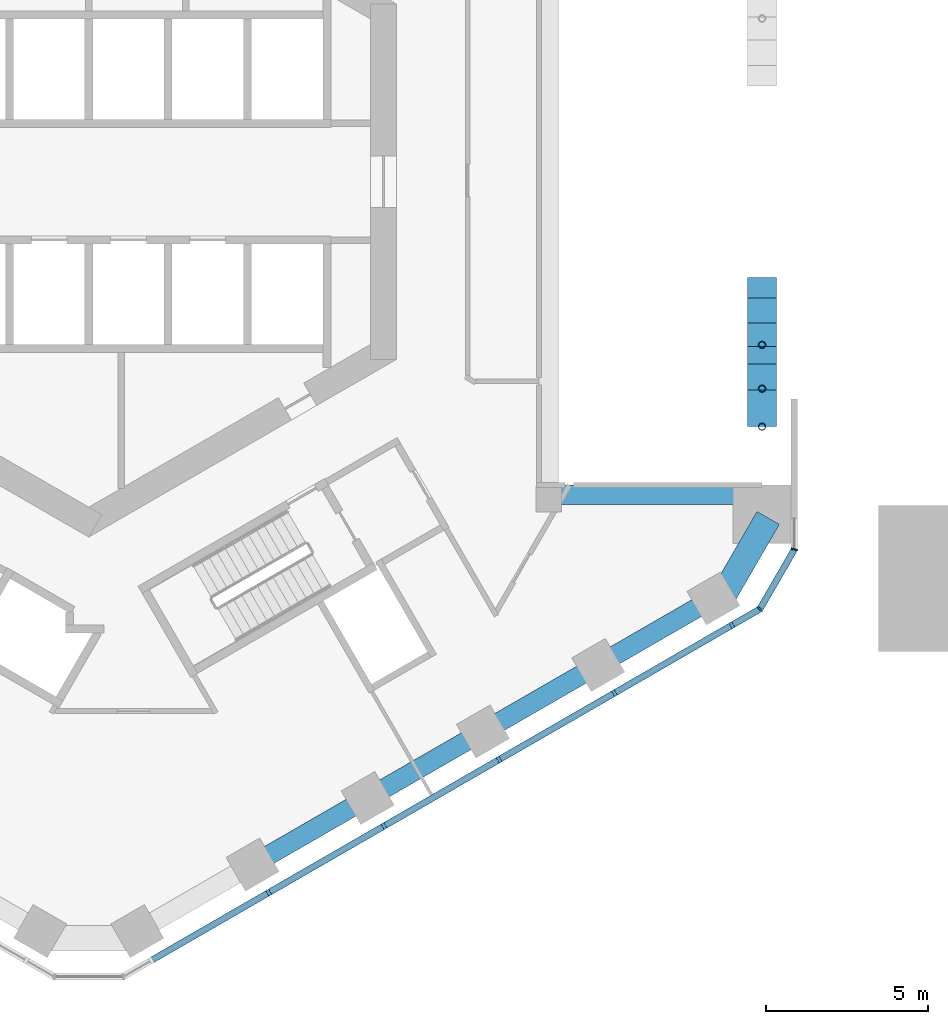
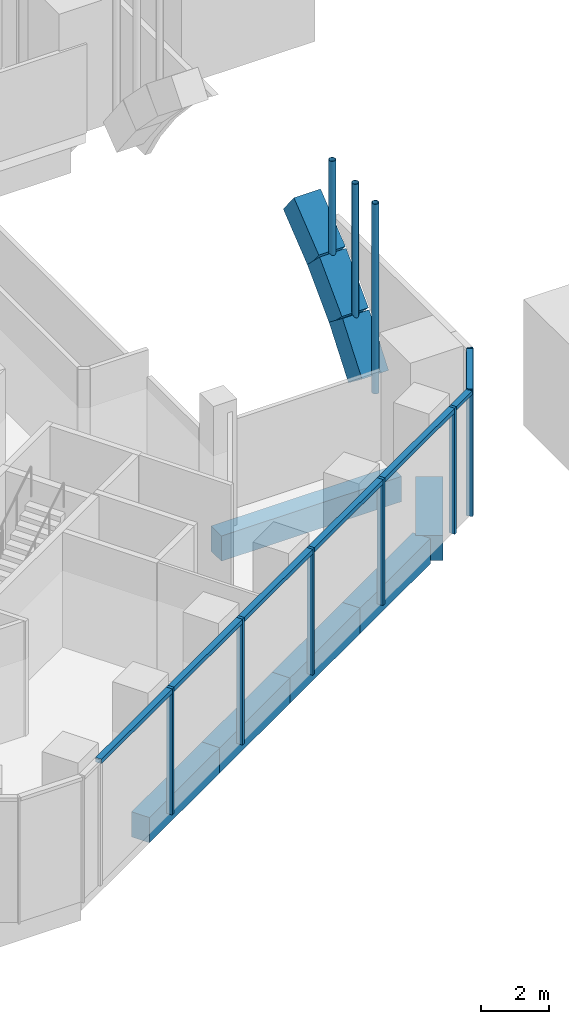
# One storey, part 4 of 14: 13 members, 9 beams, 2 elements without a shape of their own.
"""IFC4 building model written with IfcOpenShell, lengths in metres."""

from ifc_helpers import new_model, si_unit, direction, frame, origin, origin_2d, place, context, subcontext, project, spatial, rectangle, hollow_circle, extrude, material, layer, layer_set, material_profile, profile_set, type_object, element, aggregate, save


model = new_model("IFC4")

# Units and contexts
model_context = context("Model", 3, precision=1e-05, world=origin(), true_north=direction((0.0, 1.0)))
body_context = subcontext(model_context, "Body", "Model", "MODEL_VIEW")
ifc_project = project(units=[si_unit("LENGTHUNIT", "METRE"), si_unit("AREAUNIT", "SQUARE_METRE"), si_unit("VOLUMEUNIT", "CUBIC_METRE"), si_unit("PLANEANGLEUNIT", "RADIAN"), si_unit("MASSUNIT", "GRAM", prefix="KILO")], contexts=[model_context])

# Site, building, storey
site_placement = place(None, origin())
site = spatial("IfcSite", under=ifc_project, at=site_placement, CompositionType="ELEMENT")
building_placement = place(site_placement, origin())
building = spatial("IfcBuilding", under=site, at=building_placement, Name="Ayvan Gate Tower", CompositionType="ELEMENT")
storey_placement = place(building_placement, frame((0.0, 0.0, 11.5)))
storey = spatial("IfcBuildingStorey", under=building, at=storey_placement, Name="L02", CompositionType="ELEMENT", Elevation=11.5)

# Beams
ifc_material_1 = material(Name="Concrete C60/75", Category="concrete")
ifc_material_profile_1 = material_profile(ifc_material_1, rectangle(XDim=0.89990234375, YDim=1.0, at=origin_2d()), Name="RC 900x1000")
ifc_profile_set_1 = profile_set([ifc_material_profile_1], Name="Concrete C60/75")
beam_type_1 = type_object("IfcBeamType", Name="Arch rib RC 900x1000 C60/75", PredefinedType="BEAM", material=ifc_profile_set_1)
for number, where, z_axis, x_axis, name in (
    (1, (20.78466796875, -7.16796875, 1.285888671875), (0.0, 0.609862606667, 0.792507161475), (-1.0, 0.0, 0.0), "AR-0-6"),
    (2, (20.78466796875, -6.03076171875, 2.763671875), (0.0, 0.69980301445, 0.714335874058), (-1.0, 0.0, 0.0), "AR-0-7"),
    (3, (20.78466796875, -4.725830078125, 4.095703125), (0.0, 0.779884352811, 0.625923634512), (-1.0, 0.0, 0.0), "AR-0-8"),
):
    element("IfcBeam", number, at=place(storey_placement, frame(where, z_axis=z_axis, x_axis=x_axis)), inside=storey, type_object=beam_type_1, Name=name, PredefinedType="BEAM", context=body_context, shape_type="SweptSolid", body=[
        extrude(rectangle(XDim=0.89990234375, YDim=1.0, at=origin_2d()), origin(), (0.0, 0.0, 1.0), 1.86474609375),
    ])

# Members
ifc_material_2 = material(Name="Steel S460NH", Category="steel")
ifc_material_profile_2 = material_profile(ifc_material_2, hollow_circle(Radius=0.109619140625, WallThickness=0.012451171875, at=origin_2d()), Name="CHS 219.1x12.5")
ifc_profile_set_2 = profile_set([ifc_material_profile_2], Name="Steel S460NH")
member_type_1 = type_object("IfcMemberType", Name="Arch rib hanger CHS 219.1x12.5", PredefinedType="STRUT", material=ifc_profile_set_2)
member_1_placement = place(storey_placement, frame((20.78466796875, -7.564208984375, 0.98095703125), z_axis=(0.0, 0.0, 1.0), x_axis=(1.0, 0.0, 0.0)))
element("IfcMember", 4, at=member_1_placement, inside=storey, type_object=member_type_1, Name="ARH-0-6", PredefinedType="STRUT", context=body_context, shape_type="SweptSolid", body=[
    extrude(hollow_circle(Radius=0.109619140625, WallThickness=0.012451171875, at=origin_2d()), origin(), (0.0, 0.0, 1.0), 6.76904296875),
])
member_2_placement = place(storey_placement, frame((20.78466796875, -6.387939453125, 2.413818359375), z_axis=(0.0, 0.0, 1.0), x_axis=(1.0, 0.0, 0.0)))
element("IfcMember", 5, at=member_2_placement, inside=storey, type_object=member_type_1, Name="ARH-0-7", PredefinedType="STRUT", context=body_context, shape_type="SweptSolid", body=[
    extrude(hollow_circle(Radius=0.109619140625, WallThickness=0.012451171875, at=origin_2d()), origin(), (0.0, 0.0, 1.0), 5.336181640625),
])
member_3_placement = place(storey_placement, frame((20.78466796875, -5.038818359375, 3.705810546875), z_axis=(0.0, 0.0, 1.0), x_axis=(1.0, 0.0, 0.0)))
element("IfcMember", 6, at=member_3_placement, inside=storey, type_object=member_type_1, Name="ARH-0-8", PredefinedType="STRUT", context=body_context, shape_type="SweptSolid", body=[
    extrude(hollow_circle(Radius=0.109619140625, WallThickness=0.012451171875, at=origin_2d()), origin(), (0.0, 0.0, 1.0), 4.044189453125),
])

# Beams
ifc_material_3 = material(Name="Concrete C40/50", Category="concrete")
ifc_material_profile_3 = material_profile(ifc_material_3, rectangle(XDim=0.800048828125, YDim=0.89990234375, at=origin_2d()), Name="RC 800x900")
ifc_profile_set_3 = profile_set([ifc_material_profile_3], Name="Concrete C40/50")
beam_type_2 = type_object("IfcBeamType", Name="Corner spandrel beam RC 800x900 C40/50", PredefinedType="BEAM", material=ifc_profile_set_3)
beam_1_placement = place(storey_placement, frame((19.47509765625, -12.97607421875, -0.85009765625), z_axis=(0.499990139034, 0.866031096941, 0.0), x_axis=(-0.866031096941, 0.499990139034, 0.0)))
element("IfcBeam", 7, at=beam_1_placement, inside=storey, type_object=beam_type_2, Name="SB-L02-36", PredefinedType="BEAM", context=body_context, shape_type="SweptSolid", body=[
    extrude(rectangle(XDim=0.800048828125, YDim=0.89990234375, at=origin_2d()), origin(), (0.0, 0.0, 1.0), 3.0),
])
ifc_material_profile_4 = material_profile(ifc_material_3, rectangle(XDim=0.60009765625, YDim=0.89990234375, at=origin_2d()), Name="RC 600x900")
ifc_profile_set_4 = profile_set([ifc_material_profile_4], Name="Concrete C40/50")
beam_type_3 = type_object("IfcBeamType", Name="Opening edge beam RC 600x900 C40/50", PredefinedType="BEAM", material=ifc_profile_set_4)
beam_2_placement = place(storey_placement, frame((20.28466796875, -9.66796875, -0.85009765625), z_axis=(-1.0, 0.0, 0.0), x_axis=(0.0, -1.0, 0.0)))
element("IfcBeam", 8, at=beam_2_placement, inside=storey, type_object=beam_type_3, Name="OB-L02-0-A", PredefinedType="BEAM", context=body_context, shape_type="SweptSolid", body=[
    extrude(rectangle(XDim=0.60009765625, YDim=0.89990234375, at=origin_2d()), origin(), (0.0, 0.0, 1.0), 6.084716796875),
])
ifc_material_profile_5 = material_profile(ifc_material_3, rectangle(XDim=0.60009765625, YDim=0.89990234375, at=origin_2d()), Name="RC 600x900")
ifc_profile_set_5 = profile_set([ifc_material_profile_5], Name="Concrete C40/50")
beam_type_4 = type_object("IfcBeamType", Name="Spandrel beam RC 600x900 C40/50", PredefinedType="BEAM", material=ifc_profile_set_5)
for number, where, z_axis, x_axis, name in (
    (9, (5.056884765625, -21.080322265625, -0.85009765625), (0.866036113234, 0.499981450231, 0.0), (-0.499981450231, 0.866036113234, 0.0), "SB-L02-32"),
    (10, (8.61376953125, -19.02685546875, -0.85009765625), (0.866010373586, 0.500026032164, 0.0), (-0.500026032164, 0.866010373586, 0.0), "SB-L02-33"),
    (11, (12.170654296875, -16.97314453125, -0.85009765625), (0.866050971923, 0.499955712069, 0.0), (-0.499955712069, 0.866050971923, 0.0), "SB-L02-34"),
    (12, (15.727783203125, -14.919677734375, -0.85009765625), (0.866010373586, 0.500026032164, 0.0), (-0.500026032164, 0.866010373586, 0.0), "SB-L02-35"),
):
    element("IfcBeam", number, at=place(storey_placement, frame(where, z_axis=z_axis, x_axis=x_axis)), inside=storey, type_object=beam_type_4, Name=name, PredefinedType="BEAM", context=body_context, shape_type="SweptSolid", body=[
        extrude(rectangle(XDim=0.60009765625, YDim=0.89990234375, at=origin_2d()), origin(), (0.0, 0.0, 1.0), 4.107177734375),
    ])

# Curtain wall, members
ifc_material_4 = material(Name="Bronze anodised aluminium", Category="aluminium")
ifc_layer_1 = layer(ifc_material_4, 0.199951171875)
ifc_layer_set_1 = layer_set([ifc_layer_1], Name="Bronze anodised aluminium")
curtain_wall_type_1 = type_object("IfcCurtainWallType", Name="Stick curtain wall CW-3", PredefinedType="NOTDEFINED", material=ifc_layer_set_1)
curtain_wall_1_placement = place(storey_placement, origin())
curtain_wall_1 = element("IfcCurtainWall", 13, at=curtain_wall_1_placement, inside=storey, type_object=curtain_wall_type_1, Name="Stick curtain wall CW-3 L02", PredefinedType="NOTDEFINED")
ifc_material_profile_6 = material_profile(ifc_material_4, rectangle(XDim=0.199951171875, YDim=0.10009765625, at=origin_2d()), Name="Stick curtain wall CW-3 mullion 200 x 100")
ifc_profile_set_6 = profile_set([ifc_material_profile_6], Name="Bronze anodised aluminium")
member_type_2 = type_object("IfcMemberType", Name="Stick curtain wall CW-3 mullion 200 x 100", PredefinedType="MULLION", material=ifc_profile_set_6)
member_4_placement = place(storey_placement, frame((5.55712890625, -21.9462890625, 0.0), z_axis=(0.0, 0.0, 1.0), x_axis=(0.5, -0.866025403784, 0.0)))
member_4 = element("IfcMember", 14, at=member_4_placement, type_object=member_type_2, Name="CW-3 mullion 2", PredefinedType="MULLION", context=body_context, shape_type="SweptSolid", body=[
    extrude(rectangle(XDim=0.199951171875, YDim=0.10009765625, at=origin_2d()), origin(), (0.0, 0.0, 1.0), 4.5),
])
member_5_placement = place(storey_placement, frame((9.11376953125, -19.892822265625, 0.0), z_axis=(0.0, 0.0, 1.0), x_axis=(0.5, -0.866025403784, 0.0)))
member_5 = element("IfcMember", 15, at=member_5_placement, type_object=member_type_2, Name="CW-3 mullion 3", PredefinedType="MULLION", context=body_context, shape_type="SweptSolid", body=[
    extrude(rectangle(XDim=0.199951171875, YDim=0.10009765625, at=origin_2d()), origin(), (0.0, 0.0, 1.0), 4.5),
])
member_6_placement = place(storey_placement, frame((12.670654296875, -17.83935546875, 0.0), z_axis=(0.0, 0.0, 1.0), x_axis=(0.5, -0.866025403784, 0.0)))
member_6 = element("IfcMember", 16, at=member_6_placement, type_object=member_type_2, Name="CW-3 mullion 4", PredefinedType="MULLION", context=body_context, shape_type="SweptSolid", body=[
    extrude(rectangle(XDim=0.199951171875, YDim=0.10009765625, at=origin_2d()), origin(), (0.0, 0.0, 1.0), 4.5),
])
member_7_placement = place(storey_placement, frame((16.227294921875, -15.785888671875, 0.0), z_axis=(0.0, 0.0, 1.0), x_axis=(0.5, -0.866025403784, 0.0)))
member_7 = element("IfcMember", 17, at=member_7_placement, type_object=member_type_2, Name="CW-3 mullion 5", PredefinedType="MULLION", context=body_context, shape_type="SweptSolid", body=[
    extrude(rectangle(XDim=0.199951171875, YDim=0.10009765625, at=origin_2d()), origin(), (0.0, 0.0, 1.0), 4.5),
])
member_8_placement = place(storey_placement, frame((19.855224609375, -13.691162109375, 0.0), z_axis=(0.0, 0.0, 1.0), x_axis=(0.5, -0.866025403784, 0.0)))
member_8 = element("IfcMember", 18, at=member_8_placement, type_object=member_type_2, Name="CW-3 mullion 6", PredefinedType="MULLION", context=body_context, shape_type="SweptSolid", body=[
    extrude(rectangle(XDim=0.199951171875, YDim=0.10009765625, at=origin_2d()), origin(), (0.0, 0.0, 1.0), 4.5),
])
ifc_material_profile_7 = material_profile(ifc_material_4, rectangle(XDim=0.199951171875, YDim=0.159912109375, at=origin_2d()), Name="Stick curtain wall CW-3 transom 200 x 160")
ifc_profile_set_7 = profile_set([ifc_material_profile_7], Name="Bronze anodised aluminium")
member_type_3 = type_object("IfcMemberType", Name="Stick curtain wall CW-3 transom 200 x 160", PredefinedType="USERDEFINED", material=ifc_profile_set_7)
member_9_placement = place(storey_placement, frame((1.92919921875, -24.040771484375, 4.419921875), z_axis=(0.866025115303, 0.500000499665, 0.0), x_axis=(-0.500000499665, 0.866025115303, 0.0)))
member_9 = element("IfcMember", 19, at=member_9_placement, type_object=member_type_3, Name="CW-3 transom 1", ObjectType="TRANSOM", PredefinedType="USERDEFINED", context=body_context, shape_type="SweptSolid", body=[
    extrude(rectangle(XDim=0.199951171875, YDim=0.159912109375, at=origin_2d()), origin(), (0.0, 0.0, 1.0), 20.69921875),
])
aggregate(curtain_wall_1, [member_4, member_5, member_6, member_7, member_8, member_9])

ifc_layer_2 = layer(ifc_material_4, 0.199951171875)
ifc_layer_set_2 = layer_set([ifc_layer_2], Name="Bronze anodised aluminium")
curtain_wall_type_2 = type_object("IfcCurtainWallType", Name="Stick curtain wall CW-6", PredefinedType="NOTDEFINED", material=ifc_layer_set_2)
curtain_wall_2_placement = place(storey_placement, origin())
curtain_wall_2 = element("IfcCurtainWall", 20, at=curtain_wall_2_placement, inside=storey, type_object=curtain_wall_type_2, Name="Stick curtain wall CW-6 L02", PredefinedType="NOTDEFINED")
ifc_material_profile_8 = material_profile(ifc_material_4, rectangle(XDim=0.199951171875, YDim=0.050048828125, at=origin_2d()), Name="Stick curtain wall CW-6 mullion 200 x 50")
ifc_profile_set_8 = profile_set([ifc_material_profile_8], Name="Bronze anodised aluminium")
member_type_4 = type_object("IfcMemberType", Name="Stick curtain wall CW-6 mullion 200 x 50", PredefinedType="MULLION", material=ifc_profile_set_8)
member_10_placement = place(storey_placement, frame((20.721435546875, -13.191162109375, 0.0), z_axis=(0.0, 0.0, 1.0), x_axis=(0.707106781187, -0.707106781187, 0.0)))
member_10 = element("IfcMember", 21, at=member_10_placement, type_object=member_type_4, Name="CW-6 mullion 2", PredefinedType="MULLION", context=body_context, shape_type="SweptSolid", body=[
    extrude(rectangle(XDim=0.199951171875, YDim=0.050048828125, at=origin_2d()), origin(), (0.0, 0.0, 1.0), 4.5),
])
member_11_placement = place(storey_placement, frame((21.78466796875, -11.349609375, 0.0), z_axis=(0.0, 0.0, 1.0), x_axis=(0.965925826289, -0.258819045103, 0.0)))
member_11 = element("IfcMember", 22, at=member_11_placement, type_object=member_type_4, Name="CW-6 mullion 3", PredefinedType="MULLION", context=body_context, shape_type="SweptSolid", body=[
    extrude(rectangle(XDim=0.199951171875, YDim=0.050048828125, at=origin_2d()), origin(), (0.0, 0.0, 1.0), 4.5),
])
ifc_material_profile_9 = material_profile(ifc_material_4, rectangle(XDim=0.199951171875, YDim=0.1201171875, at=origin_2d()), Name="Stick curtain wall CW-6 transom 200 x 120")
ifc_profile_set_9 = profile_set([ifc_material_profile_9], Name="Bronze anodised aluminium")
member_type_5 = type_object("IfcMemberType", Name="Stick curtain wall CW-6 transom 200 x 120", PredefinedType="USERDEFINED", material=ifc_profile_set_9)
member_12_placement = place(storey_placement, frame((19.898681640625, -13.666259765625, 4.43994140625), z_axis=(0.865943820382, 0.500141279983, 0.0), x_axis=(-0.500141279983, 0.865943820382, 0.0)))
member_12 = element("IfcMember", 23, at=member_12_placement, type_object=member_type_5, Name="CW-6 transom 1", ObjectType="TRANSOM", PredefinedType="USERDEFINED", context=body_context, shape_type="SweptSolid", body=[
    extrude(rectangle(XDim=0.199951171875, YDim=0.1201171875, at=origin_2d()), origin(), (0.0, 0.0, 1.0), 0.925048828125),
])
member_13_placement = place(storey_placement, frame((20.73388671875, -13.169677734375, 4.43994140625), z_axis=(0.500020978615, 0.866013291437, 0.0), x_axis=(-0.866013291437, 0.500020978615, 0.0)))
member_13 = element("IfcMember", 24, at=member_13_placement, type_object=member_type_5, Name="CW-6 transom 2", ObjectType="TRANSOM", PredefinedType="USERDEFINED", context=body_context, shape_type="SweptSolid", body=[
    extrude(rectangle(XDim=0.199951171875, YDim=0.1201171875, at=origin_2d()), origin(), (0.0, 0.0, 1.0), 2.07666015625),
])
aggregate(curtain_wall_2, [member_10, member_11, member_12, member_13])

save(model, "model.ifc")
